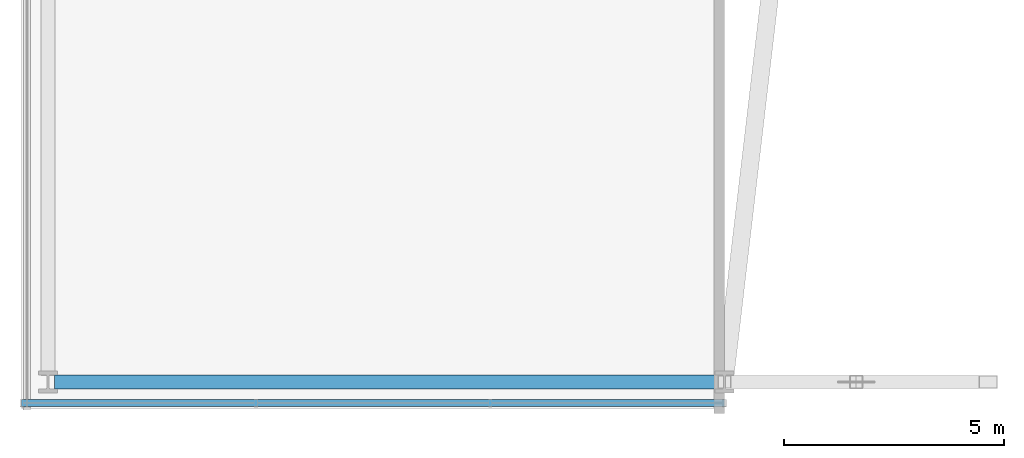
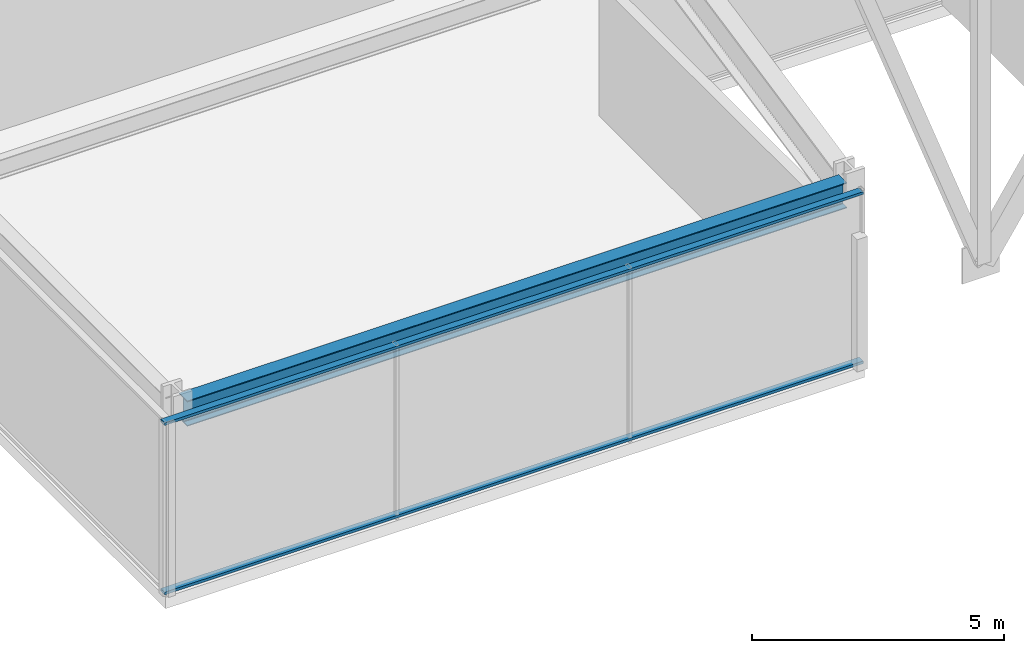
# One storey, part 3 of 47: 2 members, 1 beam, 1 element without a shape of its own.
"""IFC4 building model written with IfcOpenShell, lengths in metres."""

from ifc_helpers import new_model, si_unit, direction, frame, origin, origin_2d, place, context, subcontext, project, spatial, hollow_rectangle, i_section, extrude, material, material_profile, profile_set, type_object, element, aggregate, save


model = new_model("IFC4")

# Units and contexts
model_context = context("Model", 3, precision=1e-05, world=origin(), true_north=direction((0.0, 1.0)))
body_context = subcontext(model_context, "Body", "Model", "MODEL_VIEW")
ifc_project = project(units=[si_unit("LENGTHUNIT", "METRE"), si_unit("AREAUNIT", "SQUARE_METRE"), si_unit("VOLUMEUNIT", "CUBIC_METRE"), si_unit("PLANEANGLEUNIT", "RADIAN"), si_unit("MASSUNIT", "GRAM", prefix="KILO")], contexts=[model_context])

# Site, building, storey
site_placement = place(None, origin())
site = spatial("IfcSite", under=ifc_project, at=site_placement, CompositionType="ELEMENT")
building_placement = place(site_placement, origin())
building = spatial("IfcBuilding", under=site, at=building_placement, Name="Kolvaren Belvedere", CompositionType="ELEMENT")
storey_placement = place(building_placement, frame((0.0, 0.0, 5.5)))
storey = spatial("IfcBuildingStorey", under=building, at=storey_placement, Name="L02", CompositionType="ELEMENT", Elevation=5.5)

# Beam
ifc_material_1 = material(Name="Structural steel ASTM A992 Grade 50", Category="steel")
ifc_material_profile_1 = material_profile(ifc_material_1, i_section(OverallWidth=0.324951171875, OverallDepth=0.615966796875, WebThickness=0.013916015625, FlangeThickness=0.021484375, FilletRadius=0.02001953125, at=origin_2d()), Name="W24X117")
ifc_profile_set_1 = profile_set([ifc_material_profile_1], Name="Structural steel ASTM A992 Grade 50")
beam_type = type_object("IfcBeamType", Name="BM-SPAN-W24X117", PredefinedType="SPANDREL", material=ifc_profile_set_1)
beam_placement = place(storey_placement, frame((-27.25, -27.800048828125, 3.912109375), z_axis=(1.0, 0.0, 0.0), x_axis=(0.0, 1.0, 0.0)))
element("IfcBeam", 1, at=beam_placement, inside=storey, type_object=beam_type, Name="L02 South Podium Spandrel 1", PredefinedType="SPANDREL", context=body_context, shape_type="SweptSolid", body=[
    extrude(i_section(OverallWidth=0.324951171875, OverallDepth=0.615966796875, WebThickness=0.013916015625, FlangeThickness=0.021484375, FilletRadius=0.02001953125, at=origin_2d()), origin(), (0.0, 0.0, 1.0), 15.10009765625),
])

# Curtain wall, members
ifc_material_2 = material(Name="Anodised pale-metal aluminium AA 6063-T6", Category="aluminium")
curtain_wall_type = type_object("IfcCurtainWallType", Name="CW-POD-A", PredefinedType="NOTDEFINED", material=ifc_material_2)
curtain_wall_placement = place(storey_placement, origin())
curtain_wall = element("IfcCurtainWall", 2, at=curtain_wall_placement, inside=storey, type_object=curtain_wall_type, Name="L02 Unitised Curtain Wall FCW-L02-SEG1", PredefinedType="NOTDEFINED")
ifc_material_3 = material(Name="Anodised pale-metal aluminium AA 6063-T6", Category="aluminium")
ifc_material_profile_2 = material_profile(ifc_material_3, hollow_rectangle(XDim=0.06494140625, YDim=0.159912109375, WallThickness=0.00390625, at=origin_2d()), Name="ALU-TRN-160X65")
ifc_profile_set_2 = profile_set([ifc_material_profile_2], Name="Anodised pale-metal aluminium AA 6063-T6")
member_type = type_object("IfcMemberType", Name="CW-TRN-160", PredefinedType="USERDEFINED", material=ifc_profile_set_2)
member_1_placement = place(storey_placement, frame((-12.0, -28.280029296875, 0.06005859375), z_axis=(-1.0, 0.0, 0.0), x_axis=(0.0, 0.0, 1.0)))
member_1 = element("IfcMember", 3, at=member_1_placement, type_object=member_type, Name="FCW-L02-SEG1 Sill Transom", ObjectType="TRANSOM", PredefinedType="USERDEFINED", context=body_context, shape_type="SweptSolid", body=[
    extrude(hollow_rectangle(XDim=0.06494140625, YDim=0.159912109375, WallThickness=0.00390625, at=origin_2d()), origin(), (0.0, 0.0, 1.0), 16.0),
])
member_2_placement = place(storey_placement, frame((-12.0, -28.280029296875, 4.159912109375), z_axis=(-1.0, 0.0, 0.0), x_axis=(0.0, 0.0, 1.0)))
member_2 = element("IfcMember", 4, at=member_2_placement, type_object=member_type, Name="FCW-L02-SEG1 Head Transom", ObjectType="TRANSOM", PredefinedType="USERDEFINED", context=body_context, shape_type="SweptSolid", body=[
    extrude(hollow_rectangle(XDim=0.06494140625, YDim=0.159912109375, WallThickness=0.00390625, at=origin_2d()), origin(), (0.0, 0.0, 1.0), 16.0),
])
aggregate(curtain_wall, [member_1, member_2])

save(model, "model.ifc")
